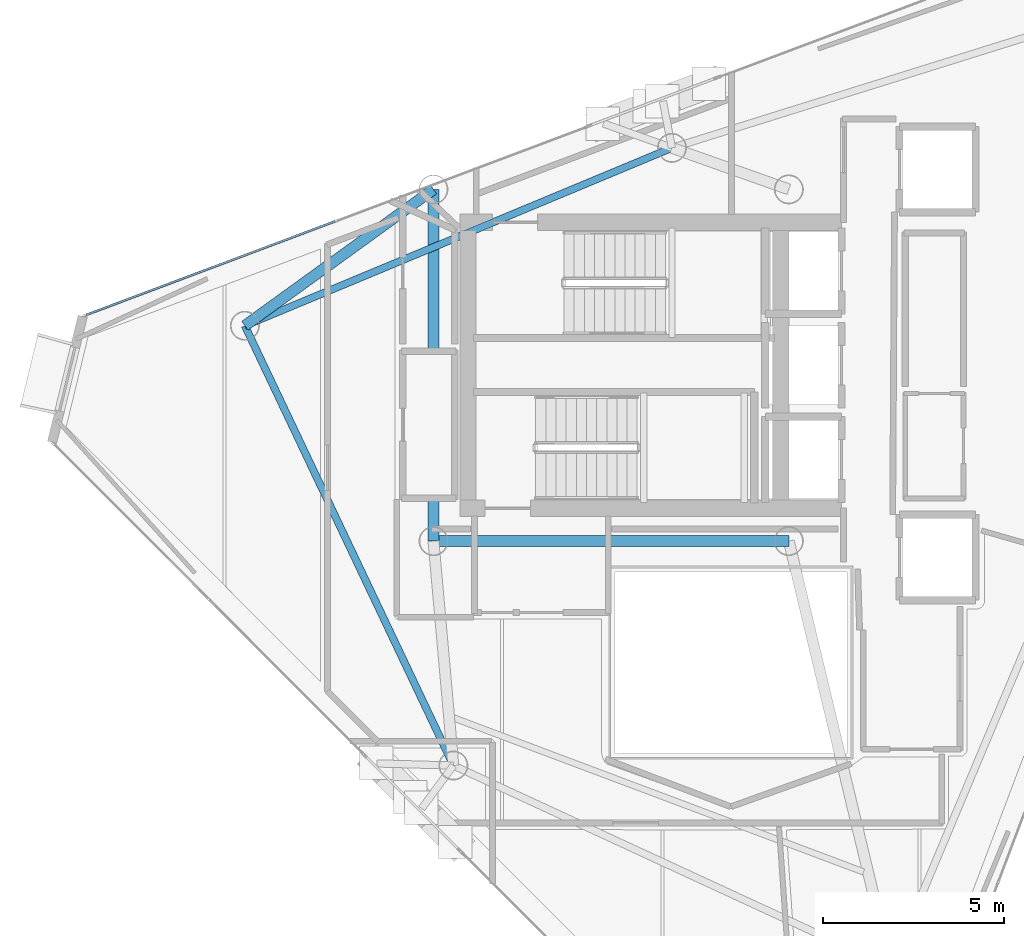
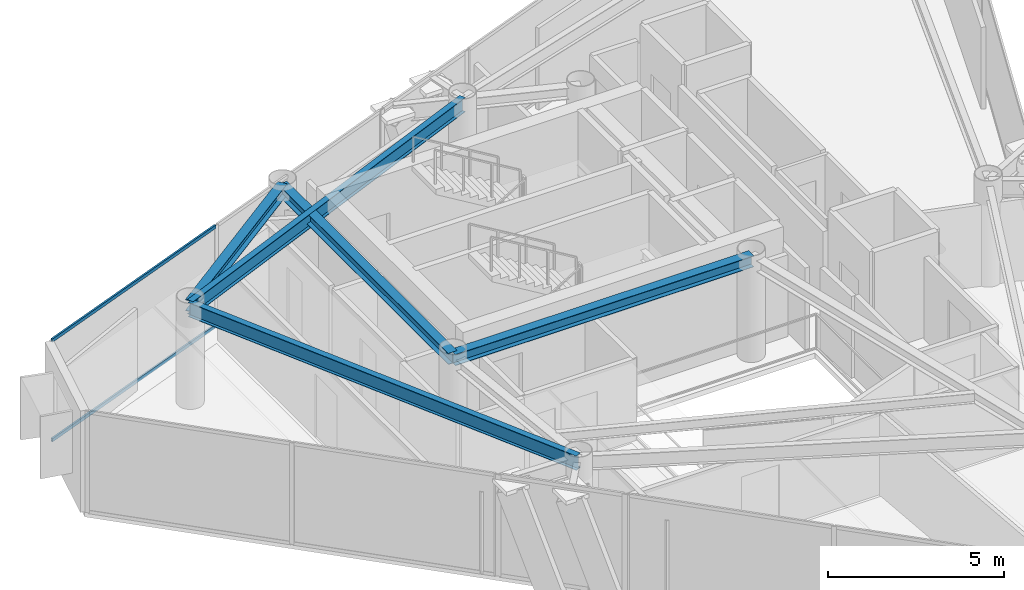
# One storey, part 8 of 19: 5 beams, 2 members, 1 element without a shape of its own.
"""IFC4 building model written with IfcOpenShell, lengths in metres."""

from ifc_helpers import new_model, si_unit, direction, frame, origin, origin_2d, place, context, subcontext, project, spatial, hollow_rectangle, i_section, extrude, material, layer, layer_set, material_profile, profile_set, type_object, element, aggregate, save


model = new_model("IFC4")

# Units and contexts
model_context = context("Model", 3, precision=1e-05, world=origin(), true_north=direction((0.0, 1.0)))
body_context = subcontext(model_context, "Body", "Model", "MODEL_VIEW")
ifc_project = project(units=[si_unit("LENGTHUNIT", "METRE"), si_unit("AREAUNIT", "SQUARE_METRE"), si_unit("VOLUMEUNIT", "CUBIC_METRE"), si_unit("PLANEANGLEUNIT", "RADIAN"), si_unit("MASSUNIT", "GRAM", prefix="KILO")], contexts=[model_context])

# Site, building, storey
site_placement = place(None, origin())
site = spatial("IfcSite", under=ifc_project, at=site_placement, CompositionType="ELEMENT")
building_placement = place(site_placement, origin())
building = spatial("IfcBuilding", under=site, at=building_placement, Name="Qianvela Tower", CompositionType="ELEMENT")
storey_placement = place(building_placement, frame((0.0, 0.0, 340.699951171875)))
storey = spatial("IfcBuildingStorey", under=building, at=storey_placement, Name="L88", CompositionType="ELEMENT", Elevation=340.699951171875)

# Beams
ifc_material_1 = material(Name="Steel Q355B", Category="steel")
ifc_material_profile_1 = material_profile(ifc_material_1, i_section(OverallWidth=0.300048828125, OverallDepth=0.389892578125, WebThickness=0.010009765625, FlangeThickness=0.01611328125, at=origin_2d()), Name="HM390x300x10x16")
ifc_profile_set_1 = profile_set([ifc_material_profile_1], Name="Steel Q355B")
beam_type_1 = type_object("IfcBeamType", Name="BM-HM390-COLL", PredefinedType="BEAM", material=ifc_profile_set_1)
beam_1_placement = place(storey_placement, frame((28.60009765625, 23.85009765625, 3.322998046875), z_axis=(1.0, 0.0, 0.0), x_axis=(0.0, 1.0, 0.0)))
element("IfcBeam", 1, at=beam_1_placement, inside=storey, type_object=beam_type_1, Name="L88 Core Ring Collector Girder CC1", PredefinedType="BEAM", context=body_context, shape_type="SweptSolid", body=[
    extrude(i_section(OverallWidth=0.300048828125, OverallDepth=0.389892578125, WebThickness=0.010009765625, FlangeThickness=0.01611328125, at=origin_2d()), origin(), (0.0, 0.0, 1.0), 9.7998046875),
])
beam_2_placement = place(storey_placement, frame((28.60009765625, 33.550048828125, 3.322998046875), z_axis=(0.0, -1.0, 0.0), x_axis=(1.0, 0.0, 0.0)))
element("IfcBeam", 2, at=beam_2_placement, inside=storey, type_object=beam_type_1, Name="L88 Core Ring Collector Girder CC2", PredefinedType="BEAM", context=body_context, shape_type="SweptSolid", body=[
    extrude(i_section(OverallWidth=0.300048828125, OverallDepth=0.389892578125, WebThickness=0.010009765625, FlangeThickness=0.01611328125, at=origin_2d()), origin(), (0.0, 0.0, 1.0), 9.699951171875),
])
beam_3_placement = place(storey_placement, frame((28.60009765625, 33.550048828125, 3.322998046875), z_axis=(-0.810287827692, -0.586032112, 0.0), x_axis=(0.586032112, -0.810287827692, 0.0)))
element("IfcBeam", 3, at=beam_3_placement, inside=storey, type_object=beam_type_1, Name="L88 Radial Primary Floor Girder 3", PredefinedType="BEAM", context=body_context, shape_type="SweptSolid", body=[
    extrude(i_section(OverallWidth=0.300048828125, OverallDepth=0.389892578125, WebThickness=0.010009765625, FlangeThickness=0.01611328125, at=origin_2d()), origin(), (0.0, 0.0, 1.0), 6.417724609375),
])
ifc_material_2 = material(Name="Steel Q355B", Category="steel")
ifc_material_profile_2 = material_profile(ifc_material_2, i_section(OverallWidth=0.199951171875, OverallDepth=0.5, WebThickness=0.010009765625, FlangeThickness=0.01611328125, at=origin_2d()), Name="HN500x200x10x16")
ifc_profile_set_2 = profile_set([ifc_material_profile_2], Name="Steel Q355B")
beam_type_2 = type_object("IfcBeamType", Name="BM-HN500-GIRD", PredefinedType="BEAM", material=ifc_profile_set_2)
beam_4_placement = place(storey_placement, frame((35.177001953125, 34.695068359375, 3.26806640625), z_axis=(-0.923108058734, -0.384540650517, 0.0), x_axis=(0.384540650517, -0.923108058734, 0.0)))
element("IfcBeam", 4, at=beam_4_placement, inside=storey, type_object=beam_type_2, Name="L88 Perimeter Ring Spandrel Girder 2", PredefinedType="BEAM", context=body_context, shape_type="SweptSolid", body=[
    extrude(i_section(OverallWidth=0.199951171875, OverallDepth=0.5, WebThickness=0.010009765625, FlangeThickness=0.01611328125, at=origin_2d()), origin(), (0.0, 0.0, 1.0), 12.758056640625),
])
beam_5_placement = place(storey_placement, frame((23.39990234375, 29.7890625, 3.26806640625), z_axis=(0.428430375526, -0.903574796753, 0.0), x_axis=(0.903574796753, 0.428430375526, 0.0)))
element("IfcBeam", 5, at=beam_5_placement, inside=storey, type_object=beam_type_2, Name="L88 Perimeter Ring Spandrel Girder 3", PredefinedType="BEAM", context=body_context, shape_type="SweptSolid", body=[
    extrude(i_section(OverallWidth=0.199951171875, OverallDepth=0.5, WebThickness=0.010009765625, FlangeThickness=0.01611328125, at=origin_2d()), origin(), (0.0, 0.0, 1.0), 13.421142578125),
])

# Curtain wall, members
ifc_material_3 = material(Name="Anodised Architectural Aluminium and Low-E Glass", Category="aluminium")
ifc_layer = layer(ifc_material_3, 0.14990234375)
ifc_layer_set = layer_set([ifc_layer], Name="Anodised Architectural Aluminium and Low-E Glass")
curtain_wall_type = type_object("IfcCurtainWallType", Name="CW-COLIV-Z78", PredefinedType="USERDEFINED", material=ifc_layer_set)
curtain_wall_placement = place(storey_placement, origin())
curtain_wall = element("IfcCurtainWall", 6, at=curtain_wall_placement, inside=storey, type_object=curtain_wall_type, Name="L88 CW-COLIV-Z78 Curtain Wall 02C", ObjectType="CURTAIN_WALL_SYSTEM", PredefinedType="USERDEFINED")
ifc_material_4 = material(Name="Anodised Architectural Aluminium 6063-T6", Category="aluminium")
ifc_material_profile_3 = material_profile(ifc_material_4, hollow_rectangle(XDim=0.06005859375, YDim=0.114990234375, WallThickness=0.00390625, at=origin_2d()), Name="ALU-TRAN-60x115")
ifc_profile_set_3 = profile_set([ifc_material_profile_3], Name="Anodised Architectural Aluminium 6063-T6")
member_type = type_object("IfcMemberType", Name="CW-COLIV-Z78-TRAN", PredefinedType="USERDEFINED", material=ifc_profile_set_3)
member_1_placement = place(storey_placement, frame((25.885009765625, 32.668701171875, 0.030029296875), z_axis=(-0.936013794937, -0.351963315827, 0.0), x_axis=(0.351963315827, -0.936013794937, 0.0)))
member_1 = element("IfcMember", 7, at=member_1_placement, type_object=member_type, Name="CW-6 transom 2.1", ObjectType="TRANSOM", PredefinedType="USERDEFINED", context=body_context, shape_type="SweptSolid", body=[
    extrude(hollow_rectangle(XDim=0.06005859375, YDim=0.114990234375, WallThickness=0.00390625, at=origin_2d()), origin(), (0.0, 0.0, 1.0), 7.32568359375),
])
member_2_placement = place(storey_placement, frame((25.885009765625, 32.668701171875, 3.489990234375), z_axis=(-0.936013794937, -0.351963315827, 0.0), x_axis=(0.351963315827, -0.936013794937, 0.0)))
member_2 = element("IfcMember", 8, at=member_2_placement, type_object=member_type, Name="CW-6 transom 2.2", ObjectType="TRANSOM", PredefinedType="USERDEFINED", context=body_context, shape_type="SweptSolid", body=[
    extrude(hollow_rectangle(XDim=0.06005859375, YDim=0.114990234375, WallThickness=0.00390625, at=origin_2d()), origin(), (0.0, 0.0, 1.0), 7.32568359375),
])
aggregate(curtain_wall, [member_1, member_2])

save(model, "model.ifc")
